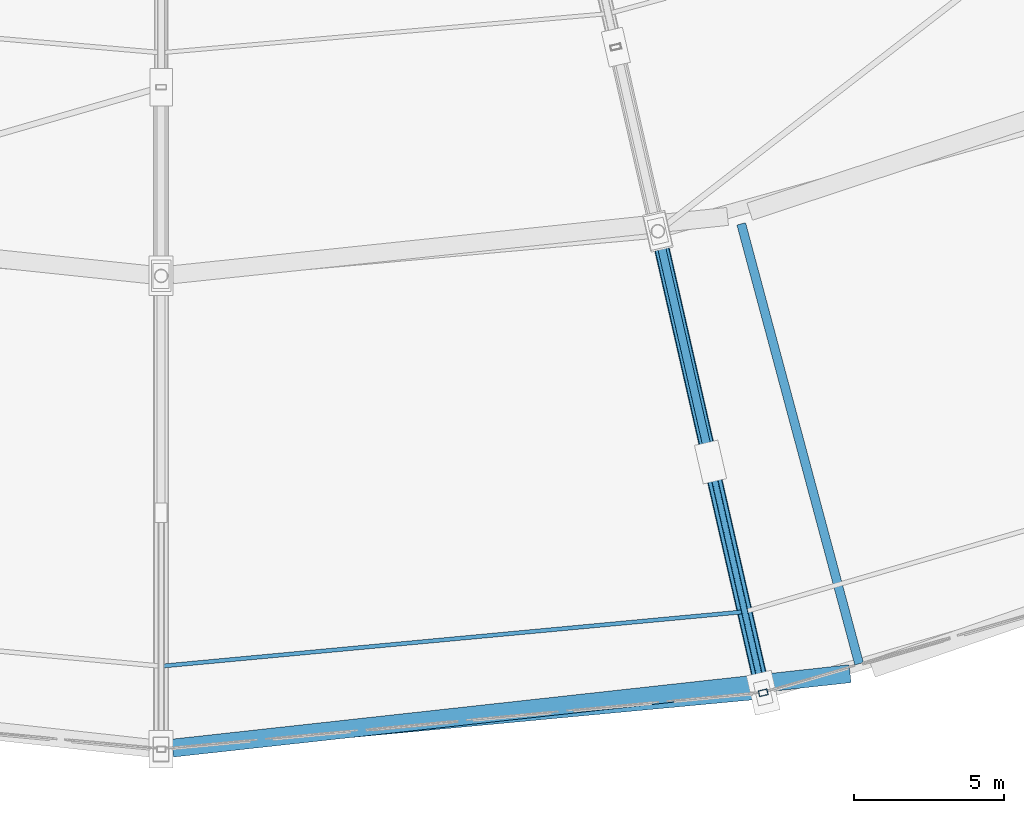
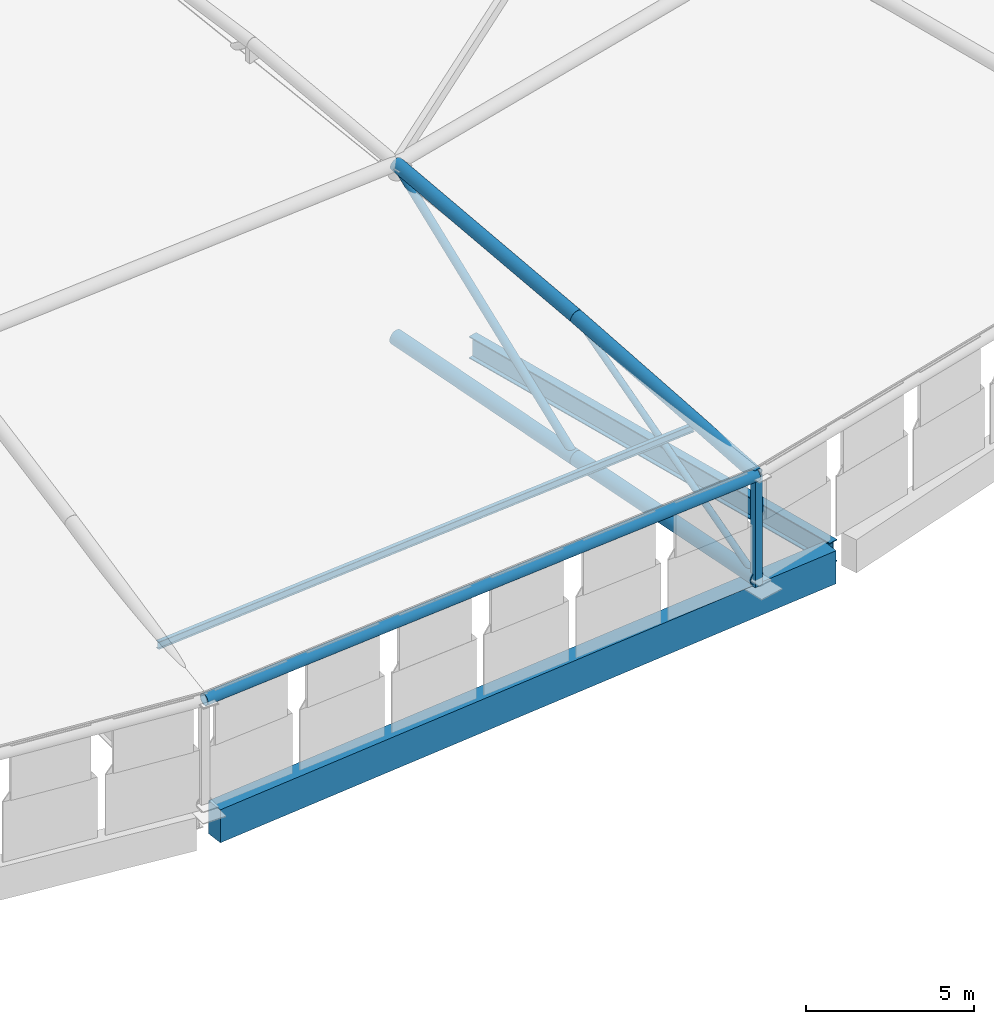
# One storey, part 16 of 108: 9 members, 2 beams.
"""IFC4 building model written with IfcOpenShell, lengths in metres."""

from ifc_helpers import new_model, si_unit, direction, frame, origin, origin_2d, place, context, subcontext, project, spatial, rectangle, hollow_rectangle, hollow_circle, i_section, extrude, material, material_profile, profile_set, type_object, element, save


model = new_model("IFC4")

# Units and contexts
model_context = context("Model", 3, precision=1e-05, world=origin(), true_north=direction((0.0, 1.0)))
body_context = subcontext(model_context, "Body", "Model", "MODEL_VIEW")
ifc_project = project(units=[si_unit("LENGTHUNIT", "METRE"), si_unit("AREAUNIT", "SQUARE_METRE"), si_unit("VOLUMEUNIT", "CUBIC_METRE"), si_unit("PLANEANGLEUNIT", "RADIAN"), si_unit("MASSUNIT", "GRAM", prefix="KILO")], contexts=[model_context])

# Site, building, storey
site_placement = place(None, origin())
site = spatial("IfcSite", under=ifc_project, at=site_placement, CompositionType="ELEMENT")
building_placement = place(site_placement, origin())
building = spatial("IfcBuilding", under=site, at=building_placement, Name="Zevraka Park Crest Stadium", CompositionType="ELEMENT")
storey_placement = place(building_placement, frame((0.0, 0.0, 29.39990234375)))
storey = spatial("IfcBuildingStorey", under=building, at=storey_placement, Name="RF", CompositionType="ELEMENT", Elevation=29.39990234375)

# Beam
ifc_material_1 = material(Name="Steel S355", Category="steel")
ifc_material_profile_1 = material_profile(ifc_material_1, i_section(OverallWidth=0.300048828125, OverallDepth=0.800048828125, WebThickness=0.017578125, FlangeThickness=0.032958984375, at=origin_2d()), Name="HEB 800")
ifc_profile_set_1 = profile_set([ifc_material_profile_1], Name="Steel S355")
beam_type_1 = type_object("IfcBeamType", Name="BG10", PredefinedType="BEAM", material=ifc_profile_set_1)
beam_1_placement = place(storey_placement, frame((131.360107421875, 34.237060546875, -0.534912109375), z_axis=(0.258761243247, -0.965941312396, 0.0), x_axis=(0.965941312396, 0.258761243247, 0.0)))
element("IfcBeam", 1, at=beam_1_placement, inside=storey, type_object=beam_type_1, Name="Radial Girder BG10 RF-BD-19", PredefinedType="BEAM", context=body_context, shape_type="SweptSolid", body=[
    extrude(i_section(OverallWidth=0.300048828125, OverallDepth=0.800048828125, WebThickness=0.017578125, FlangeThickness=0.032958984375, at=origin_2d()), origin(), (0.0, 0.0, 1.0), 15.19873046875),
])

# Member
ifc_material_2 = material(Name="Steel S355", Category="steel")
ifc_material_profile_2 = material_profile(ifc_material_2, i_section(OverallWidth=0.135009765625, OverallDepth=0.27001953125, WebThickness=0.006591796875, FlangeThickness=0.01025390625, at=origin_2d()), Name="IPE 270")
ifc_profile_set_2 = profile_set([ifc_material_profile_2], Name="Steel S355")
member_type_1 = type_object("IfcMemberType", Name="PR04", PredefinedType="PURLIN", material=ifc_profile_set_2)
member_1_placement = place(storey_placement, frame((112.0, 19.47607421875, 4.302001953125), z_axis=(0.995672202982, 0.092934730907, 0.0), x_axis=(-0.092934730907, 0.995672202982, 0.0)))
element("IfcMember", 2, at=member_1_placement, inside=storey, type_object=member_type_1, Name="Canopy Roof Purlin PR04 OUTER-22-1", PredefinedType="PURLIN", context=body_context, shape_type="SweptSolid", body=[
    extrude(i_section(OverallWidth=0.135009765625, OverallDepth=0.27001953125, WebThickness=0.006591796875, FlangeThickness=0.01025390625, at=origin_2d()), origin(), (0.0, 0.0, 1.0), 19.560791015625),
])

# Beam
ifc_material_3 = material(Name="Concrete C40/50", Category="concrete")
ifc_material_profile_3 = material_profile(ifc_material_3, rectangle(XDim=0.60009765625, YDim=1.199951171875, at=origin_2d()), Name="RC 1200x600")
ifc_profile_set_3 = profile_set([ifc_material_profile_3], Name="Concrete C40/50")
beam_type_2 = type_object("IfcBeamType", Name="RB01", PredefinedType="BEAM", material=ifc_profile_set_3)
beam_2_placement = place(storey_placement, frame((112.3779296875, 16.740966796875, -0.599853515625), z_axis=(0.994021150509, 0.109187693174, 0.0), x_axis=(-0.109187693174, 0.994021150509, 0.0)))
element("IfcBeam", 3, at=beam_2_placement, inside=storey, type_object=beam_type_2, Name="Ring Beam RB01 RF-D-18", PredefinedType="BEAM", context=body_context, shape_type="SweptSolid", body=[
    extrude(rectangle(XDim=0.60009765625, YDim=1.199951171875, at=origin_2d()), origin(), (0.0, 0.0, 1.0), 22.7509765625),
])

# Members
ifc_material_4 = material(Name="Steel S355", Category="steel")
ifc_material_profile_4 = material_profile(ifc_material_4, hollow_circle(Radius=0.25390625, WallThickness=0.030029296875, at=origin_2d()), Name="CHS 508.0x30")
ifc_profile_set_4 = profile_set([ifc_material_profile_4], Name="Steel S355")
member_type_2 = type_object("IfcMemberType", Name="TC01", PredefinedType="CHORD", material=ifc_profile_set_4)
member_2_placement = place(storey_placement, frame((132.093994140625, 18.587890625, 0.25), z_axis=(-0.222371621946, 0.974223014742, 0.037952329311), x_axis=(-0.97492539894, -0.222531944902, 0.0)))
element("IfcMember", 4, at=member_2_placement, inside=storey, type_object=member_type_2, Name="Roof Truss Bottom Chord TC01 T23-1", PredefinedType="CHORD", context=body_context, shape_type="SweptSolid", body=[
    extrude(hollow_circle(Radius=0.25390625, WallThickness=0.030029296875, at=origin_2d()), origin(), (0.0, 0.0, 1.0), 7.906005859375),
])
member_3_placement = place(storey_placement, frame((130.3359375, 26.2900390625, 0.550048828125), z_axis=(-0.222320446954, 0.97396794057, 0.044272673369), x_axis=(-0.974923868544, -0.222538649551, 0.0)))
element("IfcMember", 5, at=member_3_placement, inside=storey, type_object=member_type_2, Name="Roof Truss Bottom Chord TC01 T23-2", PredefinedType="CHORD", context=body_context, shape_type="SweptSolid", body=[
    extrude(hollow_circle(Radius=0.25390625, WallThickness=0.030029296875, at=origin_2d()), origin(), (0.0, 0.0, 1.0), 7.90771484375),
])
ifc_material_5 = material(Name="Steel S355", Category="steel")
ifc_material_profile_5 = material_profile(ifc_material_5, hollow_circle(Radius=0.228515625, WallThickness=0.02490234375, at=origin_2d()), Name="CHS 457.0x25")
ifc_profile_set_5 = profile_set([ifc_material_profile_5], Name="Steel S355")
member_type_3 = type_object("IfcMemberType", Name="TC02", PredefinedType="CHORD", material=ifc_profile_set_5)
member_4_placement = place(storey_placement, frame((132.093994140625, 18.587890625, 4.0), z_axis=(-0.217551082903, 0.953103952705, 0.210391020877), x_axis=(-0.97492539894, -0.222531944902, 0.0)))
element("IfcMember", 6, at=member_4_placement, inside=storey, type_object=member_type_3, Name="Roof Truss Top Chord TC02 T23-1", PredefinedType="CHORD", context=body_context, shape_type="SweptSolid", body=[
    extrude(hollow_circle(Radius=0.228515625, WallThickness=0.02490234375, at=origin_2d()), origin(), (0.0, 0.0, 1.0), 8.0810546875),
])
member_5_placement = place(storey_placement, frame((130.3359375, 26.2900390625, 5.7001953125), z_axis=(-0.218632489842, 0.957811298019, 0.186540482931), x_axis=(-0.974923868544, -0.222538649551, 0.0)))
element("IfcMember", 7, at=member_5_placement, inside=storey, type_object=member_type_3, Name="Roof Truss Top Chord TC02 T23-2", PredefinedType="CHORD", context=body_context, shape_type="SweptSolid", body=[
    extrude(hollow_circle(Radius=0.228515625, WallThickness=0.02490234375, at=origin_2d()), origin(), (0.0, 0.0, 1.0), 8.041259765625),
])
ifc_material_6 = material(Name="Steel S355", Category="steel")
ifc_material_profile_6 = material_profile(ifc_material_6, hollow_circle(Radius=0.203125, WallThickness=0.02001953125, at=origin_2d()), Name="CHS 406.4x20")
ifc_profile_set_6 = profile_set([ifc_material_profile_6], Name="Steel S355")
member_type_4 = type_object("IfcMemberType", Name="TC03", PredefinedType="CHORD", material=ifc_profile_set_6)
member_6_placement = place(storey_placement, frame((112.0, 16.699951171875, 4.0), z_axis=(0.995615199736, 0.093543434051, 0.0), x_axis=(-0.093543434051, 0.995615199736, 0.0)))
element("IfcMember", 8, at=member_6_placement, inside=storey, type_object=member_type_4, Name="Roof Outer Canopy Ring Chord TC03 22", PredefinedType="CHORD", context=body_context, shape_type="SweptSolid", body=[
    extrude(hollow_circle(Radius=0.203125, WallThickness=0.02001953125, at=origin_2d()), origin(), (0.0, 0.0, 1.0), 20.182373046875),
])
ifc_material_7 = material(Name="Steel S355", Category="steel")
ifc_material_profile_7 = material_profile(ifc_material_7, hollow_circle(Radius=0.136474609375, WallThickness=0.012451171875, at=origin_2d()), Name="CHS 273.0x12.5")
ifc_profile_set_7 = profile_set([ifc_material_profile_7], Name="Steel S355")
member_type_5 = type_object("IfcMemberType", Name="WB01", PredefinedType="BRACE", material=ifc_profile_set_7)
member_7_placement = place(storey_placement, frame((130.3359375, 26.2900390625, 0.550048828125), z_axis=(-0.170248741629, 0.745846000859, 0.643994649805), x_axis=(-0.974923868544, -0.222538649551, 0.0)))
element("IfcMember", 9, at=member_7_placement, inside=storey, type_object=member_type_5, Name="Roof Truss Web Diagonal WB01 T23-2", PredefinedType="BRACE", context=body_context, shape_type="SweptSolid", body=[
    extrude(hollow_circle(Radius=0.136474609375, WallThickness=0.012451171875, at=origin_2d()), origin(), (0.0, 0.0, 1.0), 10.326416015625),
])
ifc_material_8 = material(Name="Steel S355", Category="steel")
ifc_material_profile_8 = material_profile(ifc_material_8, hollow_circle(Radius=0.109619140625, WallThickness=0.010009765625, at=origin_2d()), Name="CHS 219.1x10")
ifc_profile_set_8 = profile_set([ifc_material_profile_8], Name="Steel S355")
member_type_6 = type_object("IfcMemberType", Name="WB02", PredefinedType="BRACE", material=ifc_profile_set_8)
member_8_placement = place(storey_placement, frame((132.093994140625, 18.587890625, 0.25), z_axis=(-0.183172163518, 0.802487906494, 0.567856600246), x_axis=(-0.97492539894, -0.222531944902, 0.0)))
element("IfcMember", 10, at=member_8_placement, inside=storey, type_object=member_type_6, Name="Roof Truss Web Diagonal WB02 T23-1", PredefinedType="BRACE", context=body_context, shape_type="SweptSolid", body=[
    extrude(hollow_circle(Radius=0.109619140625, WallThickness=0.010009765625, at=origin_2d()), origin(), (0.0, 0.0, 1.0), 9.597900390625),
])
ifc_material_9 = material(Name="Steel S355", Category="steel")
ifc_material_profile_9 = material_profile(ifc_material_9, hollow_rectangle(XDim=0.199951171875, YDim=0.300048828125, WallThickness=0.012451171875, at=origin_2d()), Name="RHS 300x200x12.5")
ifc_profile_set_9 = profile_set([ifc_material_profile_9], Name="Steel S355")
member_type_7 = type_object("IfcMemberType", Name="WB03", PredefinedType="BRACE", material=ifc_profile_set_9)
member_9_placement = place(storey_placement, frame((132.093994140625, 18.587890625, 0.0), z_axis=(0.0, 0.0, 1.0), x_axis=(-0.222569549971, 0.974916814618, 0.0)))
element("IfcMember", 11, at=member_9_placement, inside=storey, type_object=member_type_7, Name="Roof Truss Anchor Strut WB03 T23-0", PredefinedType="BRACE", context=body_context, shape_type="SweptSolid", body=[
    extrude(hollow_rectangle(XDim=0.199951171875, YDim=0.300048828125, WallThickness=0.012451171875, at=origin_2d()), origin(), (0.0, 0.0, 1.0), 4.0),
])

save(model, "model.ifc")
